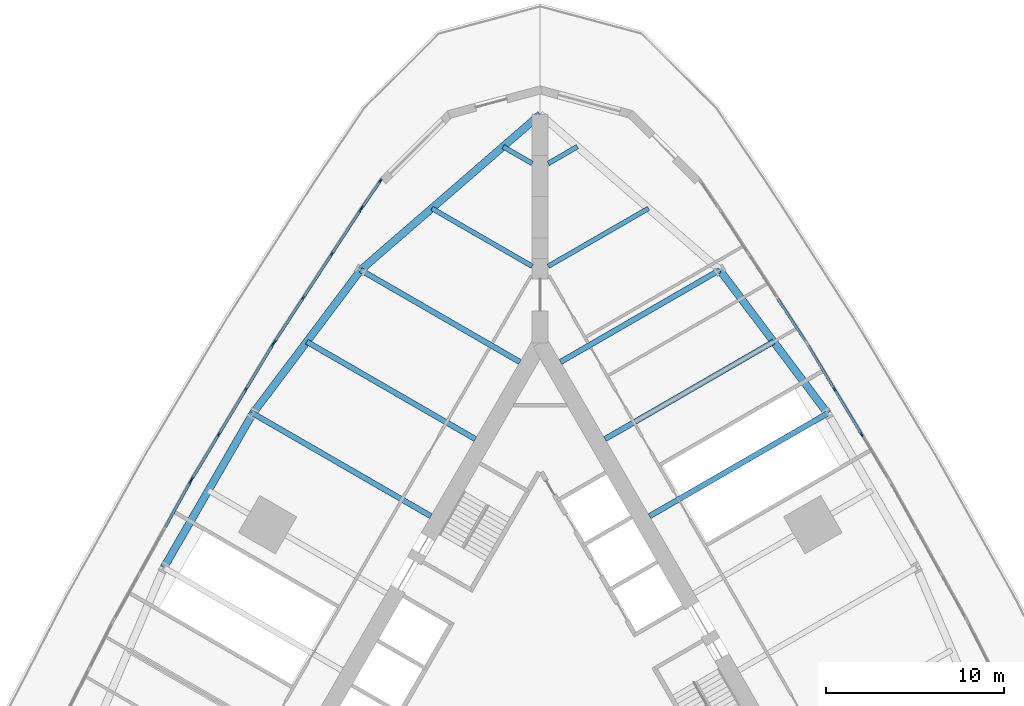
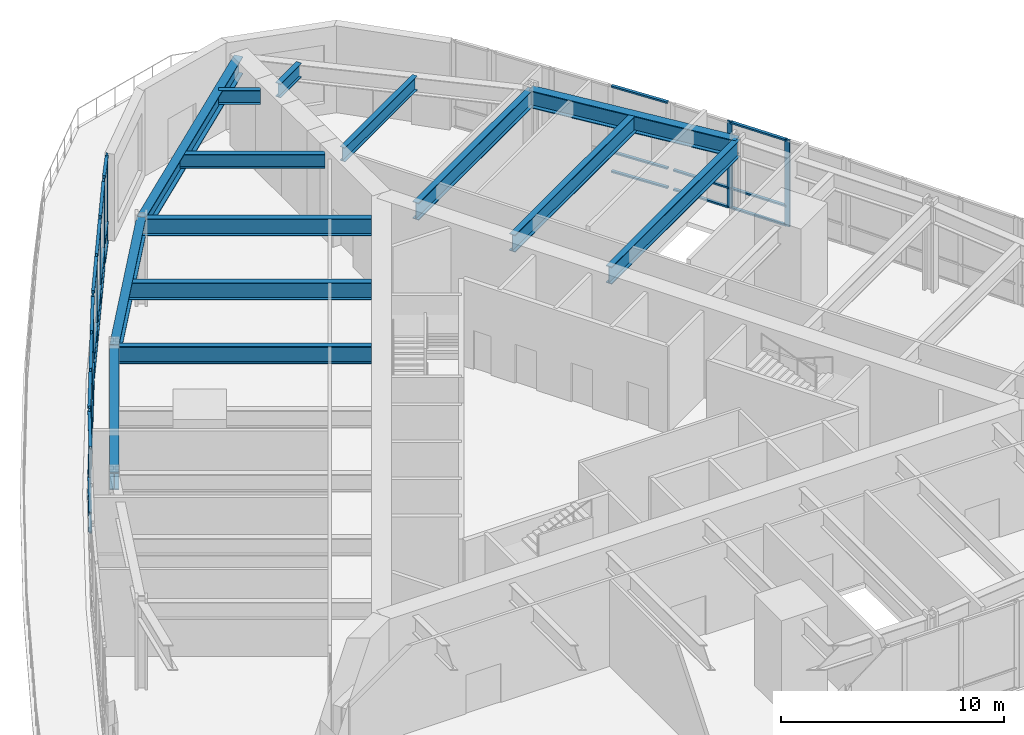
# One storey, part 4 of 13: 45 members, 14 beams, 6 elements without a shape of their own.
"""IFC4 building model written with IfcOpenShell, lengths in metres."""

from ifc_helpers import new_model, si_unit, direction, frame, origin, origin_2d, place, context, subcontext, project, spatial, rectangle, i_section, extrude, material, material_profile, profile_set, type_object, element, aggregate, save


model = new_model("IFC4")

# Units and contexts
model_context = context("Model", 3, precision=1e-05, world=origin(), true_north=direction((0.0, 1.0)))
body_context = subcontext(model_context, "Body", "Model", "MODEL_VIEW")
ifc_project = project(units=[si_unit("LENGTHUNIT", "METRE"), si_unit("AREAUNIT", "SQUARE_METRE"), si_unit("VOLUMEUNIT", "CUBIC_METRE"), si_unit("PLANEANGLEUNIT", "RADIAN"), si_unit("MASSUNIT", "GRAM", prefix="KILO")], contexts=[model_context])

# Site, building, storey
site_placement = place(None, origin())
site = spatial("IfcSite", under=ifc_project, at=site_placement, CompositionType="ELEMENT")
building_placement = place(site_placement, origin())
building = spatial("IfcBuilding", under=site, at=building_placement, Name="Trikona Tower", CompositionType="ELEMENT")
storey_placement = place(building_placement, frame((0.0, 0.0, 17.5)))
storey = spatial("IfcBuildingStorey", under=building, at=storey_placement, Name="L03", CompositionType="ELEMENT", Elevation=17.5)

# Curtain wall, members
ifc_material_1 = material(Name="Aluminium curtain wall system", Category="aluminium")
curtain_wall_type = type_object("IfcCurtainWallType", Name="Curtain wall PD", PredefinedType="NOTDEFINED", material=ifc_material_1)
curtain_wall_1_placement = place(storey_placement, origin())
curtain_wall_1 = element("IfcCurtainWall", 1, at=curtain_wall_1_placement, inside=storey, type_object=curtain_wall_type, Name="Curtain wall PD L03", PredefinedType="NOTDEFINED")
ifc_material_2 = material(Name="Aluminium mullion, pale anodised", Category="aluminium")
ifc_material_profile_1 = material_profile(ifc_material_2, rectangle(XDim=0.090087890625, YDim=0.25, at=origin_2d()), Name="MUL-PD")
ifc_profile_set_1 = profile_set([ifc_material_profile_1], Name="Aluminium mullion, pale anodised")
member_type_1 = type_object("IfcMemberType", Name="Mullion PD 90x250", PredefinedType="MULLION", material=ifc_profile_set_1)
member_1_placement = place(storey_placement, frame((18.050048828125, 13.90625, 0.0), z_axis=(0.0, 0.0, 1.0), x_axis=(-0.856880333147, -0.51551536802, 0.0)))
member_1 = element("IfcMember", 2, at=member_1_placement, type_object=member_type_1, Name="CW-PD mullion 2", PredefinedType="MULLION", context=body_context, shape_type="SweptSolid", body=[
    extrude(rectangle(XDim=0.090087890625, YDim=0.25, at=origin_2d()), origin(), (0.0, 0.0, 1.0), 4.75),
])
member_2_placement = place(storey_placement, frame((16.52392578125, 16.443115234375, 0.0), z_axis=(0.0, 0.0, 1.0), x_axis=(-0.856880333147, -0.51551536802, 0.0)))
member_2 = element("IfcMember", 3, at=member_2_placement, type_object=member_type_1, Name="CW-PD mullion 3", PredefinedType="MULLION", context=body_context, shape_type="SweptSolid", body=[
    extrude(rectangle(XDim=0.090087890625, YDim=0.25, at=origin_2d()), origin(), (0.0, 0.0, 1.0), 4.75),
])

curtain_wall_2_placement = place(storey_placement, origin())
curtain_wall_2 = element("IfcCurtainWall", 4, at=curtain_wall_2_placement, inside=storey, type_object=curtain_wall_type, Name="Curtain wall PD L03", PredefinedType="NOTDEFINED")
member_3_placement = place(storey_placement, frame((-8.976806640625, 28.14697265625, 0.0), z_axis=(0.0, 0.0, 1.0), x_axis=(0.825656992245, -0.564172430341, 0.0)))
member_3 = element("IfcMember", 5, at=member_3_placement, type_object=member_type_1, Name="CW-PD mullion 1", PredefinedType="MULLION", context=body_context, shape_type="SweptSolid", body=[
    extrude(rectangle(XDim=0.090087890625, YDim=0.25, at=origin_2d()), origin(), (0.0, 0.0, 1.0), 4.75),
])
member_4_placement = place(storey_placement, frame((-9.98974609375, 26.664306640625, 0.0), z_axis=(0.0, 0.0, 1.0), x_axis=(0.825656992245, -0.564172430341, 0.0)))
member_4 = element("IfcMember", 6, at=member_4_placement, type_object=member_type_1, Name="CW-PD mullion 2", PredefinedType="MULLION", context=body_context, shape_type="SweptSolid", body=[
    extrude(rectangle(XDim=0.090087890625, YDim=0.25, at=origin_2d()), origin(), (0.0, 0.0, 1.0), 4.75),
])

curtain_wall_3_placement = place(storey_placement, origin())
curtain_wall_3 = element("IfcCurtainWall", 7, at=curtain_wall_3_placement, inside=storey, type_object=curtain_wall_type, Name="Curtain wall PD L03", PredefinedType="NOTDEFINED")
member_5_placement = place(storey_placement, frame((-10.105224609375, 26.491455078125, 0.0), z_axis=(0.0, 0.0, 1.0), x_axis=(0.83780024532, -0.545976875831, 0.0)))
member_5 = element("IfcMember", 8, at=member_5_placement, type_object=member_type_1, Name="CW-PD mullion 1", PredefinedType="MULLION", context=body_context, shape_type="SweptSolid", body=[
    extrude(rectangle(XDim=0.090087890625, YDim=0.25, at=origin_2d()), origin(), (0.0, 0.0, 1.0), 4.75),
])
member_6_placement = place(storey_placement, frame((-11.698974609375, 24.045654296875, 0.0), z_axis=(0.0, 0.0, 1.0), x_axis=(0.83780024532, -0.545976875831, 0.0)))
member_6 = element("IfcMember", 9, at=member_6_placement, type_object=member_type_1, Name="CW-PD mullion 2", PredefinedType="MULLION", context=body_context, shape_type="SweptSolid", body=[
    extrude(rectangle(XDim=0.090087890625, YDim=0.25, at=origin_2d()), origin(), (0.0, 0.0, 1.0), 4.75),
])
member_7_placement = place(storey_placement, frame((-13.317626953125, 21.56201171875, 0.0), z_axis=(0.0, 0.0, 1.0), x_axis=(0.83780024532, -0.545976875831, 0.0)))
member_7 = element("IfcMember", 10, at=member_7_placement, type_object=member_type_1, Name="CW-PD mullion 3", PredefinedType="MULLION", context=body_context, shape_type="SweptSolid", body=[
    extrude(rectangle(XDim=0.090087890625, YDim=0.25, at=origin_2d()), origin(), (0.0, 0.0, 1.0), 4.75),
])
member_8_placement = place(storey_placement, frame((-14.911376953125, 19.1162109375, 0.0), z_axis=(0.0, 0.0, 1.0), x_axis=(0.83780024532, -0.545976875831, 0.0)))
member_8 = element("IfcMember", 11, at=member_8_placement, type_object=member_type_1, Name="CW-PD mullion 4", PredefinedType="MULLION", context=body_context, shape_type="SweptSolid", body=[
    extrude(rectangle(XDim=0.090087890625, YDim=0.25, at=origin_2d()), origin(), (0.0, 0.0, 1.0), 4.75),
])

curtain_wall_4_placement = place(storey_placement, origin())
curtain_wall_4 = element("IfcCurtainWall", 12, at=curtain_wall_4_placement, inside=storey, type_object=curtain_wall_type, Name="Curtain wall PD L03", PredefinedType="NOTDEFINED")
member_9_placement = place(storey_placement, frame((-15.02099609375, 18.94140625, 0.0), z_axis=(0.0, 0.0, 1.0), x_axis=(0.856880333147, -0.51551536802, 0.0)))
member_9 = element("IfcMember", 13, at=member_9_placement, type_object=member_type_1, Name="CW-PD mullion 1", PredefinedType="MULLION", context=body_context, shape_type="SweptSolid", body=[
    extrude(rectangle(XDim=0.090087890625, YDim=0.25, at=origin_2d()), origin(), (0.0, 0.0, 1.0), 4.75),
])
member_10_placement = place(storey_placement, frame((-16.52392578125, 16.443115234375, 0.0), z_axis=(0.0, 0.0, 1.0), x_axis=(0.856880333147, -0.51551536802, 0.0)))
member_10 = element("IfcMember", 14, at=member_10_placement, type_object=member_type_1, Name="CW-PD mullion 2", PredefinedType="MULLION", context=body_context, shape_type="SweptSolid", body=[
    extrude(rectangle(XDim=0.090087890625, YDim=0.25, at=origin_2d()), origin(), (0.0, 0.0, 1.0), 4.75),
])
member_11_placement = place(storey_placement, frame((-18.050048828125, 13.90625, 0.0), z_axis=(0.0, 0.0, 1.0), x_axis=(0.856880333147, -0.51551536802, 0.0)))
member_11 = element("IfcMember", 15, at=member_11_placement, type_object=member_type_1, Name="CW-PD mullion 3", PredefinedType="MULLION", context=body_context, shape_type="SweptSolid", body=[
    extrude(rectangle(XDim=0.090087890625, YDim=0.25, at=origin_2d()), origin(), (0.0, 0.0, 1.0), 4.75),
])
member_12_placement = place(storey_placement, frame((-19.552978515625, 11.408203125, 0.0), z_axis=(0.0, 0.0, 1.0), x_axis=(0.856880333147, -0.51551536802, 0.0)))
member_12 = element("IfcMember", 16, at=member_12_placement, type_object=member_type_1, Name="CW-PD mullion 4", PredefinedType="MULLION", context=body_context, shape_type="SweptSolid", body=[
    extrude(rectangle(XDim=0.090087890625, YDim=0.25, at=origin_2d()), origin(), (0.0, 0.0, 1.0), 4.75),
])

# Curtain wall, member
curtain_wall_5_placement = place(storey_placement, origin())
curtain_wall_5 = element("IfcCurtainWall", 17, at=curtain_wall_5_placement, inside=storey, type_object=curtain_wall_type, Name="Curtain wall PD L03", PredefinedType="NOTDEFINED")
member_13_placement = place(storey_placement, frame((-19.65625, 11.2294921875, 0.0), z_axis=(0.0, 0.0, 1.0), x_axis=(0.874884432916, -0.484331734497, 0.0)))
member_13 = element("IfcMember", 18, at=member_13_placement, type_object=member_type_1, Name="CW-PD mullion 1", PredefinedType="MULLION", context=body_context, shape_type="SweptSolid", body=[
    extrude(rectangle(XDim=0.090087890625, YDim=0.25, at=origin_2d()), origin(), (0.0, 0.0, 1.0), 4.75),
])

# Beams
ifc_material_3 = material(Name="Steel ASTM A992 Grade 50", Category="steel")
ifc_material_profile_2 = material_profile(ifc_material_3, i_section(OverallWidth=0.2666015625, OverallDepth=0.76953125, WebThickness=0.015625, FlangeThickness=0.025390625, at=origin_2d()), Name="W30X132")
ifc_profile_set_2 = profile_set([ifc_material_profile_2], Name="Steel ASTM A992 Grade 50")
beam_type_1 = type_object("IfcBeamType", Name="Steel beam W30x132 (wedge)", PredefinedType="BEAM", material=ifc_profile_set_2)
beam_1_placement = place(storey_placement, frame((0.449951171875, 23.353759765625, 4.365234375), z_axis=(0.866022504693, 0.50000502134, 0.0), x_axis=(-0.50000502134, 0.866022504693, 0.0)))
element("IfcBeam", 19, at=beam_1_placement, inside=storey, type_object=beam_type_1, Name="Floor beam L04 F2 u20", PredefinedType="BEAM", context=body_context, shape_type="SweptSolid", body=[
    extrude(i_section(OverallWidth=0.2666015625, OverallDepth=0.76953125, WebThickness=0.015625, FlangeThickness=0.025390625, at=origin_2d()), origin(), (0.0, 0.0, 1.0), 6.5068359375),
])
for number, where, z_axis, x_axis, name in (
    (20, (0.449951171875, 29.127197265625, 4.365234375), (0.866009237431, 0.5000279999, 0.0), (-0.5000279999, 0.866009237431, 0.0), "Floor beam L04 F2 u25"),
    (21, (-0.449951171875, 29.127197265625, 4.365234375), (-0.866009237431, 0.5000279999, 0.0), (-0.5000279999, -0.866009237431, 0.0), "Floor beam L04 F3 u-25"),
):
    element("IfcBeam", number, at=place(storey_placement, frame(where, z_axis=z_axis, x_axis=x_axis)), inside=storey, type_object=beam_type_1, Name=name, PredefinedType="BEAM", context=body_context, shape_type="SweptSolid", body=[
        extrude(i_section(OverallWidth=0.2666015625, OverallDepth=0.76953125, WebThickness=0.015625, FlangeThickness=0.025390625, at=origin_2d()), origin(), (0.0, 0.0, 1.0), 1.890625),
    ])
beam_2_placement = place(storey_placement, frame((-0.449951171875, 23.353759765625, 4.365234375), z_axis=(-0.866022504693, 0.50000502134, 0.0), x_axis=(-0.50000502134, -0.866022504693, 0.0)))
element("IfcBeam", 22, at=beam_2_placement, inside=storey, type_object=beam_type_1, Name="Floor beam L04 F3 u-20", PredefinedType="BEAM", context=body_context, shape_type="SweptSolid", body=[
    extrude(i_section(OverallWidth=0.2666015625, OverallDepth=0.76953125, WebThickness=0.015625, FlangeThickness=0.025390625, at=origin_2d()), origin(), (0.0, 0.0, 1.0), 6.5068359375),
])
ifc_material_4 = material(Name="Steel ASTM A992 Grade 50", Category="steel")
ifc_material_profile_3 = material_profile(ifc_material_4, i_section(OverallWidth=0.307373046875, OverallDepth=0.9423828125, WebThickness=0.022216796875, FlangeThickness=0.039794921875, at=origin_2d()), Name="W36X232")
ifc_profile_set_3 = profile_set([ifc_material_profile_3], Name="Steel ASTM A992 Grade 50")
beam_type_2 = type_object("IfcBeamType", Name="Steel beam W36x232 (radial low)", PredefinedType="BEAM", material=ifc_profile_set_3)
beam_3_placement = place(storey_placement, frame((6.1396484375, 9.318359375, 4.27880859375), z_axis=(0.866029923217, 0.499992172032, 0.0), x_axis=(-0.499992172032, 0.866029923217, 0.0)))
element("IfcBeam", 23, at=beam_3_placement, inside=storey, type_object=beam_type_2, Name="Floor beam L04 F2 u5", PredefinedType="BEAM", context=body_context, shape_type="SweptSolid", body=[
    extrude(i_section(OverallWidth=0.307373046875, OverallDepth=0.9423828125, WebThickness=0.022216796875, FlangeThickness=0.039794921875, at=origin_2d()), origin(), (0.0, 0.0, 1.0), 11.544189453125),
])
beam_4_placement = place(storey_placement, frame((3.6396484375, 13.6484375, 4.27880859375), z_axis=(0.866025348605, 0.500000095573, 0.0), x_axis=(-0.500000095573, 0.866025348605, 0.0)))
element("IfcBeam", 24, at=beam_4_placement, inside=storey, type_object=beam_type_2, Name="Floor beam L04 F2 u10", PredefinedType="BEAM", context=body_context, shape_type="SweptSolid", body=[
    extrude(i_section(OverallWidth=0.307373046875, OverallDepth=0.9423828125, WebThickness=0.022216796875, FlangeThickness=0.039794921875, at=origin_2d()), origin(), (0.0, 0.0, 1.0), 10.935546875),
])
for number, where, z_axis, x_axis, name in (
    (25, (1.1396484375, 17.978515625, 4.27880859375), (0.866030471684, 0.499991222037, 0.0), (-0.499991222037, 0.866030471684, 0.0), "Floor beam L04 F2 u15"),
    (26, (-1.1396484375, 17.978515625, 4.27880859375), (-0.866030471684, 0.499991222037, 0.0), (-0.499991222037, -0.866030471684, 0.0), "Floor beam L04 F3 u-15"),
):
    element("IfcBeam", number, at=place(storey_placement, frame(where, z_axis=z_axis, x_axis=x_axis)), inside=storey, type_object=beam_type_2, Name=name, PredefinedType="BEAM", context=body_context, shape_type="SweptSolid", body=[
        extrude(i_section(OverallWidth=0.307373046875, OverallDepth=0.9423828125, WebThickness=0.022216796875, FlangeThickness=0.039794921875, at=origin_2d()), origin(), (0.0, 0.0, 1.0), 10.326904296875),
    ])
beam_5_placement = place(storey_placement, frame((-3.6396484375, 13.6484375, 4.27880859375), z_axis=(-0.866025348605, 0.500000095573, 0.0), x_axis=(-0.500000095573, -0.866025348605, 0.0)))
element("IfcBeam", 27, at=beam_5_placement, inside=storey, type_object=beam_type_2, Name="Floor beam L04 F3 u-10", PredefinedType="BEAM", context=body_context, shape_type="SweptSolid", body=[
    extrude(i_section(OverallWidth=0.307373046875, OverallDepth=0.9423828125, WebThickness=0.022216796875, FlangeThickness=0.039794921875, at=origin_2d()), origin(), (0.0, 0.0, 1.0), 10.935546875),
])
beam_6_placement = place(storey_placement, frame((-6.1396484375, 9.318359375, 4.27880859375), z_axis=(-0.866029923217, 0.499992172032, 0.0), x_axis=(-0.499992172032, -0.866029923217, 0.0)))
element("IfcBeam", 28, at=beam_6_placement, inside=storey, type_object=beam_type_2, Name="Floor beam L04 F3 u-5", PredefinedType="BEAM", context=body_context, shape_type="SweptSolid", body=[
    extrude(i_section(OverallWidth=0.307373046875, OverallDepth=0.9423828125, WebThickness=0.022216796875, FlangeThickness=0.039794921875, at=origin_2d()), origin(), (0.0, 0.0, 1.0), 11.544189453125),
])
ifc_material_5 = material(Name="Steel ASTM A992 Grade 50", Category="steel")
ifc_material_profile_4 = material_profile(ifc_material_5, i_section(OverallWidth=0.424072265625, OverallDepth=0.947509765625, WebThickness=0.02392578125, FlangeThickness=0.042724609375, at=origin_2d()), Name="W36X302")
ifc_profile_set_4 = profile_set([ifc_material_profile_4], Name="Steel ASTM A992 Grade 50")
beam_type_3 = type_object("IfcBeamType", Name="Steel beam W36x302 (pod tower spandrel)", PredefinedType="BEAM", material=ifc_profile_set_4)
beam_7_placement = place(storey_placement, frame((16.13720703125, 15.09033203125, 4.2763671875), z_axis=(-0.600988344191, 0.799257787042, 0.0), x_axis=(-0.799257787042, -0.600988344191, 0.0)))
element("IfcBeam", 29, at=beam_7_placement, inside=storey, type_object=beam_type_3, Name="Spandrel beam L04 F2-4", PredefinedType="BEAM", context=body_context, shape_type="SweptSolid", body=[
    extrude(i_section(OverallWidth=0.424072265625, OverallDepth=0.947509765625, WebThickness=0.02392578125, FlangeThickness=0.042724609375, at=origin_2d()), origin(), (0.0, 0.0, 1.0), 10.07373046875),
])
beam_8_placement = place(storey_placement, frame((0.0, 31.881591796875, 4.2763671875), z_axis=(-0.755646822726, -0.654979296851, 0.0), x_axis=(0.654979296851, -0.755646822726, 0.0)))
element("IfcBeam", 30, at=beam_8_placement, inside=storey, type_object=beam_type_3, Name="Spandrel beam L04 F3-1", PredefinedType="BEAM", context=body_context, shape_type="SweptSolid", body=[
    extrude(i_section(OverallWidth=0.424072265625, OverallDepth=0.947509765625, WebThickness=0.02392578125, FlangeThickness=0.042724609375, at=origin_2d()), origin(), (0.0, 0.0, 1.0), 13.343505859375),
])
beam_9_placement = place(storey_placement, frame((-10.0830078125, 23.141845703125, 4.2763671875), z_axis=(-0.600988344191, -0.799257787042, 0.0), x_axis=(0.799257787042, -0.600988344191, 0.0)))
element("IfcBeam", 31, at=beam_9_placement, inside=storey, type_object=beam_type_3, Name="Spandrel beam L04 F3-2", PredefinedType="BEAM", context=body_context, shape_type="SweptSolid", body=[
    extrude(i_section(OverallWidth=0.424072265625, OverallDepth=0.947509765625, WebThickness=0.02392578125, FlangeThickness=0.042724609375, at=origin_2d()), origin(), (0.0, 0.0, 1.0), 10.07373046875),
])
beam_10_placement = place(storey_placement, frame((-16.13720703125, 15.09033203125, 4.2763671875), z_axis=(-0.500004234368, -0.866022959057, 0.0), x_axis=(0.866022959057, -0.500004234368, 0.0)))
element("IfcBeam", 32, at=beam_10_placement, inside=storey, type_object=beam_type_3, Name="Spandrel beam L04 F3-3", PredefinedType="BEAM", context=body_context, shape_type="SweptSolid", body=[
    extrude(i_section(OverallWidth=0.424072265625, OverallDepth=0.947509765625, WebThickness=0.02392578125, FlangeThickness=0.042724609375, at=origin_2d()), origin(), (0.0, 0.0, 1.0), 10.0),
])

# Member
ifc_material_6 = material(Name="Aluminium transom, pale anodised", Category="aluminium")
ifc_material_profile_5 = material_profile(ifc_material_6, rectangle(XDim=0.14990234375, YDim=0.090087890625, at=origin_2d()), Name="TRN-PD")
ifc_profile_set_5 = profile_set([ifc_material_profile_5], Name="Aluminium transom, pale anodised")
member_type_2 = type_object("IfcMemberType", Name="Transom PD 90x150", PredefinedType="USERDEFINED", material=ifc_profile_set_5)
member_14_placement = place(storey_placement, frame((18.02685546875, 13.94482421875, 0.044921875), z_axis=(-0.515496008832, 0.856891979703, 0.0), x_axis=(-0.856891979703, -0.515496008832, 0.0)))
member_14 = element("IfcMember", 33, at=member_14_placement, type_object=member_type_2, Name="CW-PD transom 2.1", ObjectType="TRANSOM", PredefinedType="USERDEFINED", context=body_context, shape_type="SweptSolid", body=[
    extrude(rectangle(XDim=0.14990234375, YDim=0.090087890625, at=origin_2d()), origin(), (0.0, 0.0, 1.0), 2.87060546875),
])

member_15_placement = place(storey_placement, frame((18.02685546875, 13.94482421875, 1.10009765625), z_axis=(-0.515496008832, 0.856891979703, 0.0), x_axis=(-0.856891979703, -0.515496008832, 0.0)))
member_15 = element("IfcMember", 34, at=member_15_placement, type_object=member_type_2, Name="CW-PD transom 2.2", ObjectType="TRANSOM", PredefinedType="USERDEFINED", context=body_context, shape_type="SweptSolid", body=[
    extrude(rectangle(XDim=0.14990234375, YDim=0.090087890625, at=origin_2d()), origin(), (0.0, 0.0, 1.0), 2.87060546875),
])

member_16_placement = place(storey_placement, frame((18.02685546875, 13.94482421875, 4.705078125), z_axis=(-0.515496008832, 0.856891979703, 0.0), x_axis=(-0.856891979703, -0.515496008832, 0.0)))
member_16 = element("IfcMember", 35, at=member_16_placement, type_object=member_type_2, Name="CW-PD transom 2.3", ObjectType="TRANSOM", PredefinedType="USERDEFINED", context=body_context, shape_type="SweptSolid", body=[
    extrude(rectangle(XDim=0.14990234375, YDim=0.090087890625, at=origin_2d()), origin(), (0.0, 0.0, 1.0), 2.87060546875),
])

member_17_placement = place(storey_placement, frame((16.500732421875, 16.481689453125, 0.044921875), z_axis=(-0.515499239324, 0.856890036268, 0.0), x_axis=(-0.856890036268, -0.515499239324, 0.0)))
member_17 = element("IfcMember", 36, at=member_17_placement, type_object=member_type_2, Name="CW-PD transom 3.1", ObjectType="TRANSOM", PredefinedType="USERDEFINED", context=body_context, shape_type="SweptSolid", body=[
    extrude(rectangle(XDim=0.14990234375, YDim=0.090087890625, at=origin_2d()), origin(), (0.0, 0.0, 1.0), 2.825439453125),
])

member_18_placement = place(storey_placement, frame((16.500732421875, 16.481689453125, 1.10009765625), z_axis=(-0.515499239324, 0.856890036268, 0.0), x_axis=(-0.856890036268, -0.515499239324, 0.0)))
member_18 = element("IfcMember", 37, at=member_18_placement, type_object=member_type_2, Name="CW-PD transom 3.2", ObjectType="TRANSOM", PredefinedType="USERDEFINED", context=body_context, shape_type="SweptSolid", body=[
    extrude(rectangle(XDim=0.14990234375, YDim=0.090087890625, at=origin_2d()), origin(), (0.0, 0.0, 1.0), 2.825439453125),
])

aggregate(curtain_wall_1, [member_1, member_2, member_14, member_15, member_16, member_17, member_18])

# Curtain wall, members
curtain_wall_6_placement = place(storey_placement, origin())
curtain_wall_6 = element("IfcCurtainWall", 38, at=curtain_wall_6_placement, inside=storey, type_object=curtain_wall_type, Name="Curtain wall PD L03", PredefinedType="NOTDEFINED")
member_19_placement = place(storey_placement, frame((14.886962890625, 19.154052734375, 0.044921875), z_axis=(-0.546028235603, 0.837766772989, 0.0), x_axis=(-0.837766772989, -0.546028235603, 0.0)))
member_19 = element("IfcMember", 39, at=member_19_placement, type_object=member_type_2, Name="CW-PD transom 1.1", ObjectType="TRANSOM", PredefinedType="USERDEFINED", context=body_context, shape_type="SweptSolid", body=[
    extrude(rectangle(XDim=0.14990234375, YDim=0.090087890625, at=origin_2d()), origin(), (0.0, 0.0, 1.0), 2.829345703125),
])
member_20_placement = place(storey_placement, frame((14.886962890625, 19.154052734375, 1.10009765625), z_axis=(-0.546028235603, 0.837766772989, 0.0), x_axis=(-0.837766772989, -0.546028235603, 0.0)))
member_20 = element("IfcMember", 40, at=member_20_placement, type_object=member_type_2, Name="CW-PD transom 1.2", ObjectType="TRANSOM", PredefinedType="USERDEFINED", context=body_context, shape_type="SweptSolid", body=[
    extrude(rectangle(XDim=0.14990234375, YDim=0.090087890625, at=origin_2d()), origin(), (0.0, 0.0, 1.0), 2.829345703125),
])
member_21_placement = place(storey_placement, frame((14.886962890625, 19.154052734375, 4.705078125), z_axis=(-0.546028235603, 0.837766772989, 0.0), x_axis=(-0.837766772989, -0.546028235603, 0.0)))
member_21 = element("IfcMember", 41, at=member_21_placement, type_object=member_type_2, Name="CW-PD transom 1.3", ObjectType="TRANSOM", PredefinedType="USERDEFINED", context=body_context, shape_type="SweptSolid", body=[
    extrude(rectangle(XDim=0.14990234375, YDim=0.090087890625, at=origin_2d()), origin(), (0.0, 0.0, 1.0), 2.829345703125),
])
aggregate(curtain_wall_6, [member_19, member_20, member_21])

# Member
member_22_placement = place(storey_placement, frame((-9.002197265625, 28.10986328125, 0.044921875), z_axis=(-0.564078293545, -0.825721308161, 0.0), x_axis=(0.825721308161, -0.564078293545, 0.0)))
member_22 = element("IfcMember", 42, at=member_22_placement, type_object=member_type_2, Name="CW-PD transom 1.1", ObjectType="TRANSOM", PredefinedType="USERDEFINED", context=body_context, shape_type="SweptSolid", body=[
    extrude(rectangle(XDim=0.14990234375, YDim=0.090087890625, at=origin_2d()), origin(), (0.0, 0.0, 1.0), 1.705810546875),
])

member_23_placement = place(storey_placement, frame((-9.002197265625, 28.10986328125, 1.10009765625), z_axis=(-0.564078293545, -0.825721308161, 0.0), x_axis=(0.825721308161, -0.564078293545, 0.0)))
member_23 = element("IfcMember", 43, at=member_23_placement, type_object=member_type_2, Name="CW-PD transom 1.2", ObjectType="TRANSOM", PredefinedType="USERDEFINED", context=body_context, shape_type="SweptSolid", body=[
    extrude(rectangle(XDim=0.14990234375, YDim=0.090087890625, at=origin_2d()), origin(), (0.0, 0.0, 1.0), 1.705810546875),
])

member_24_placement = place(storey_placement, frame((-9.002197265625, 28.10986328125, 4.705078125), z_axis=(-0.564078293545, -0.825721308161, 0.0), x_axis=(0.825721308161, -0.564078293545, 0.0)))
member_24 = element("IfcMember", 44, at=member_24_placement, type_object=member_type_2, Name="CW-PD transom 1.3", ObjectType="TRANSOM", PredefinedType="USERDEFINED", context=body_context, shape_type="SweptSolid", body=[
    extrude(rectangle(XDim=0.14990234375, YDim=0.090087890625, at=origin_2d()), origin(), (0.0, 0.0, 1.0), 1.705810546875),
])

aggregate(curtain_wall_2, [member_3, member_4, member_22, member_23, member_24])

member_25_placement = place(storey_placement, frame((-10.129638671875, 26.453857421875, 0.044921875), z_axis=(-0.545988766057, -0.837792496588, 0.0), x_axis=(0.837792496588, -0.545988766057, 0.0)))
member_25 = element("IfcMember", 45, at=member_25_placement, type_object=member_type_2, Name="CW-PD transom 1.1", ObjectType="TRANSOM", PredefinedType="USERDEFINED", context=body_context, shape_type="SweptSolid", body=[
    extrude(rectangle(XDim=0.14990234375, YDim=0.090087890625, at=origin_2d()), origin(), (0.0, 0.0, 1.0), 2.82958984375),
])

member_26_placement = place(storey_placement, frame((-10.129638671875, 26.453857421875, 1.10009765625), z_axis=(-0.545988766057, -0.837792496588, 0.0), x_axis=(0.837792496588, -0.545988766057, 0.0)))
member_26 = element("IfcMember", 46, at=member_26_placement, type_object=member_type_2, Name="CW-PD transom 1.2", ObjectType="TRANSOM", PredefinedType="USERDEFINED", context=body_context, shape_type="SweptSolid", body=[
    extrude(rectangle(XDim=0.14990234375, YDim=0.090087890625, at=origin_2d()), origin(), (0.0, 0.0, 1.0), 2.82958984375),
])

member_27_placement = place(storey_placement, frame((-10.129638671875, 26.453857421875, 4.705078125), z_axis=(-0.545988766057, -0.837792496588, 0.0), x_axis=(0.837792496588, -0.545988766057, 0.0)))
member_27 = element("IfcMember", 47, at=member_27_placement, type_object=member_type_2, Name="CW-PD transom 1.3", ObjectType="TRANSOM", PredefinedType="USERDEFINED", context=body_context, shape_type="SweptSolid", body=[
    extrude(rectangle(XDim=0.14990234375, YDim=0.090087890625, at=origin_2d()), origin(), (0.0, 0.0, 1.0), 2.82958984375),
])

member_28_placement = place(storey_placement, frame((-11.7236328125, 24.008056640625, 0.044921875), z_axis=(-0.545967203387, -0.83780654857, 0.0), x_axis=(0.83780654857, -0.545967203387, 0.0)))
member_28 = element("IfcMember", 48, at=member_28_placement, type_object=member_type_2, Name="CW-PD transom 2.1", ObjectType="TRANSOM", PredefinedType="USERDEFINED", context=body_context, shape_type="SweptSolid", body=[
    extrude(rectangle(XDim=0.14990234375, YDim=0.090087890625, at=origin_2d()), origin(), (0.0, 0.0, 1.0), 2.87451171875),
])

member_29_placement = place(storey_placement, frame((-11.7236328125, 24.008056640625, 1.10009765625), z_axis=(-0.545967203387, -0.83780654857, 0.0), x_axis=(0.83780654857, -0.545967203387, 0.0)))
member_29 = element("IfcMember", 49, at=member_29_placement, type_object=member_type_2, Name="CW-PD transom 2.2", ObjectType="TRANSOM", PredefinedType="USERDEFINED", context=body_context, shape_type="SweptSolid", body=[
    extrude(rectangle(XDim=0.14990234375, YDim=0.090087890625, at=origin_2d()), origin(), (0.0, 0.0, 1.0), 2.87451171875),
])

member_30_placement = place(storey_placement, frame((-11.7236328125, 24.008056640625, 4.705078125), z_axis=(-0.545967203387, -0.83780654857, 0.0), x_axis=(0.83780654857, -0.545967203387, 0.0)))
member_30 = element("IfcMember", 50, at=member_30_placement, type_object=member_type_2, Name="CW-PD transom 2.3", ObjectType="TRANSOM", PredefinedType="USERDEFINED", context=body_context, shape_type="SweptSolid", body=[
    extrude(rectangle(XDim=0.14990234375, YDim=0.090087890625, at=origin_2d()), origin(), (0.0, 0.0, 1.0), 2.87451171875),
])

member_31_placement = place(storey_placement, frame((-13.342041015625, 21.5244140625, 0.044921875), z_axis=(-0.546028235603, -0.837766772989, 0.0), x_axis=(0.837766772989, -0.546028235603, 0.0)))
member_31 = element("IfcMember", 51, at=member_31_placement, type_object=member_type_2, Name="CW-PD transom 3.1", ObjectType="TRANSOM", PredefinedType="USERDEFINED", context=body_context, shape_type="SweptSolid", body=[
    extrude(rectangle(XDim=0.14990234375, YDim=0.090087890625, at=origin_2d()), origin(), (0.0, 0.0, 1.0), 2.829345703125),
])

member_32_placement = place(storey_placement, frame((-13.342041015625, 21.5244140625, 1.10009765625), z_axis=(-0.546028235603, -0.837766772989, 0.0), x_axis=(0.837766772989, -0.546028235603, 0.0)))
member_32 = element("IfcMember", 52, at=member_32_placement, type_object=member_type_2, Name="CW-PD transom 3.2", ObjectType="TRANSOM", PredefinedType="USERDEFINED", context=body_context, shape_type="SweptSolid", body=[
    extrude(rectangle(XDim=0.14990234375, YDim=0.090087890625, at=origin_2d()), origin(), (0.0, 0.0, 1.0), 2.829345703125),
])

member_33_placement = place(storey_placement, frame((-13.342041015625, 21.5244140625, 4.705078125), z_axis=(-0.546028235603, -0.837766772989, 0.0), x_axis=(0.837766772989, -0.546028235603, 0.0)))
member_33 = element("IfcMember", 53, at=member_33_placement, type_object=member_type_2, Name="CW-PD transom 3.3", ObjectType="TRANSOM", PredefinedType="USERDEFINED", context=body_context, shape_type="SweptSolid", body=[
    extrude(rectangle(XDim=0.14990234375, YDim=0.090087890625, at=origin_2d()), origin(), (0.0, 0.0, 1.0), 2.829345703125),
])

aggregate(curtain_wall_3, [member_5, member_6, member_7, member_8, member_25, member_26, member_27, member_28, member_29, member_30, member_31, member_32, member_33])

member_34_placement = place(storey_placement, frame((-15.044189453125, 18.90283203125, 0.044921875), z_axis=(-0.515499239324, -0.856890036268, 0.0), x_axis=(0.856890036268, -0.515499239324, 0.0)))
member_34 = element("IfcMember", 54, at=member_34_placement, type_object=member_type_2, Name="CW-PD transom 1.1", ObjectType="TRANSOM", PredefinedType="USERDEFINED", context=body_context, shape_type="SweptSolid", body=[
    extrude(rectangle(XDim=0.14990234375, YDim=0.090087890625, at=origin_2d()), origin(), (0.0, 0.0, 1.0), 2.825439453125),
])

member_35_placement = place(storey_placement, frame((-15.044189453125, 18.90283203125, 1.10009765625), z_axis=(-0.515499239324, -0.856890036268, 0.0), x_axis=(0.856890036268, -0.515499239324, 0.0)))
member_35 = element("IfcMember", 55, at=member_35_placement, type_object=member_type_2, Name="CW-PD transom 1.2", ObjectType="TRANSOM", PredefinedType="USERDEFINED", context=body_context, shape_type="SweptSolid", body=[
    extrude(rectangle(XDim=0.14990234375, YDim=0.090087890625, at=origin_2d()), origin(), (0.0, 0.0, 1.0), 2.825439453125),
])

member_36_placement = place(storey_placement, frame((-15.044189453125, 18.90283203125, 4.705078125), z_axis=(-0.515499239324, -0.856890036268, 0.0), x_axis=(0.856890036268, -0.515499239324, 0.0)))
member_36 = element("IfcMember", 56, at=member_36_placement, type_object=member_type_2, Name="CW-PD transom 1.3", ObjectType="TRANSOM", PredefinedType="USERDEFINED", context=body_context, shape_type="SweptSolid", body=[
    extrude(rectangle(XDim=0.14990234375, YDim=0.090087890625, at=origin_2d()), origin(), (0.0, 0.0, 1.0), 2.825439453125),
])

member_37_placement = place(storey_placement, frame((-16.547119140625, 16.404541015625, 0.044921875), z_axis=(-0.515496008832, -0.856891979703, 0.0), x_axis=(0.856891979703, -0.515496008832, 0.0)))
member_37 = element("IfcMember", 57, at=member_37_placement, type_object=member_type_2, Name="CW-PD transom 2.1", ObjectType="TRANSOM", PredefinedType="USERDEFINED", context=body_context, shape_type="SweptSolid", body=[
    extrude(rectangle(XDim=0.14990234375, YDim=0.090087890625, at=origin_2d()), origin(), (0.0, 0.0, 1.0), 2.87060546875),
])

member_38_placement = place(storey_placement, frame((-16.547119140625, 16.404541015625, 1.10009765625), z_axis=(-0.515496008832, -0.856891979703, 0.0), x_axis=(0.856891979703, -0.515496008832, 0.0)))
member_38 = element("IfcMember", 58, at=member_38_placement, type_object=member_type_2, Name="CW-PD transom 2.2", ObjectType="TRANSOM", PredefinedType="USERDEFINED", context=body_context, shape_type="SweptSolid", body=[
    extrude(rectangle(XDim=0.14990234375, YDim=0.090087890625, at=origin_2d()), origin(), (0.0, 0.0, 1.0), 2.87060546875),
])

member_39_placement = place(storey_placement, frame((-16.547119140625, 16.404541015625, 4.705078125), z_axis=(-0.515496008832, -0.856891979703, 0.0), x_axis=(0.856891979703, -0.515496008832, 0.0)))
member_39 = element("IfcMember", 59, at=member_39_placement, type_object=member_type_2, Name="CW-PD transom 2.3", ObjectType="TRANSOM", PredefinedType="USERDEFINED", context=body_context, shape_type="SweptSolid", body=[
    extrude(rectangle(XDim=0.14990234375, YDim=0.090087890625, at=origin_2d()), origin(), (0.0, 0.0, 1.0), 2.87060546875),
])

member_40_placement = place(storey_placement, frame((-18.0732421875, 13.867919921875, 0.044921875), z_axis=(-0.515499239324, -0.856890036268, 0.0), x_axis=(0.856890036268, -0.515499239324, 0.0)))
member_40 = element("IfcMember", 60, at=member_40_placement, type_object=member_type_2, Name="CW-PD transom 3.1", ObjectType="TRANSOM", PredefinedType="USERDEFINED", context=body_context, shape_type="SweptSolid", body=[
    extrude(rectangle(XDim=0.14990234375, YDim=0.090087890625, at=origin_2d()), origin(), (0.0, 0.0, 1.0), 2.825439453125),
])

member_41_placement = place(storey_placement, frame((-18.0732421875, 13.867919921875, 1.10009765625), z_axis=(-0.515499239324, -0.856890036268, 0.0), x_axis=(0.856890036268, -0.515499239324, 0.0)))
member_41 = element("IfcMember", 61, at=member_41_placement, type_object=member_type_2, Name="CW-PD transom 3.2", ObjectType="TRANSOM", PredefinedType="USERDEFINED", context=body_context, shape_type="SweptSolid", body=[
    extrude(rectangle(XDim=0.14990234375, YDim=0.090087890625, at=origin_2d()), origin(), (0.0, 0.0, 1.0), 2.825439453125),
])

member_42_placement = place(storey_placement, frame((-18.0732421875, 13.867919921875, 4.705078125), z_axis=(-0.515499239324, -0.856890036268, 0.0), x_axis=(0.856890036268, -0.515499239324, 0.0)))
member_42 = element("IfcMember", 62, at=member_42_placement, type_object=member_type_2, Name="CW-PD transom 3.3", ObjectType="TRANSOM", PredefinedType="USERDEFINED", context=body_context, shape_type="SweptSolid", body=[
    extrude(rectangle(XDim=0.14990234375, YDim=0.090087890625, at=origin_2d()), origin(), (0.0, 0.0, 1.0), 2.825439453125),
])

aggregate(curtain_wall_4, [member_9, member_10, member_11, member_12, member_34, member_35, member_36, member_37, member_38, member_39, member_40, member_41, member_42])

member_43_placement = place(storey_placement, frame((-19.677978515625, 11.18994140625, 0.044921875), z_axis=(-0.484321788421, -0.874889938941, 0.0), x_axis=(0.874889938941, -0.484321788421, 0.0)))
member_43 = element("IfcMember", 63, at=member_43_placement, type_object=member_type_2, Name="CW-PD transom 1.1", ObjectType="TRANSOM", PredefinedType="USERDEFINED", context=body_context, shape_type="SweptSolid", body=[
    extrude(rectangle(XDim=0.14990234375, YDim=0.090087890625, at=origin_2d()), origin(), (0.0, 0.0, 1.0), 2.825439453125),
])

member_44_placement = place(storey_placement, frame((-19.677978515625, 11.18994140625, 1.10009765625), z_axis=(-0.484321788421, -0.874889938941, 0.0), x_axis=(0.874889938941, -0.484321788421, 0.0)))
member_44 = element("IfcMember", 64, at=member_44_placement, type_object=member_type_2, Name="CW-PD transom 1.2", ObjectType="TRANSOM", PredefinedType="USERDEFINED", context=body_context, shape_type="SweptSolid", body=[
    extrude(rectangle(XDim=0.14990234375, YDim=0.090087890625, at=origin_2d()), origin(), (0.0, 0.0, 1.0), 2.825439453125),
])

member_45_placement = place(storey_placement, frame((-19.677978515625, 11.18994140625, 4.705078125), z_axis=(-0.484321788421, -0.874889938941, 0.0), x_axis=(0.874889938941, -0.484321788421, 0.0)))
member_45 = element("IfcMember", 65, at=member_45_placement, type_object=member_type_2, Name="CW-PD transom 1.3", ObjectType="TRANSOM", PredefinedType="USERDEFINED", context=body_context, shape_type="SweptSolid", body=[
    extrude(rectangle(XDim=0.14990234375, YDim=0.090087890625, at=origin_2d()), origin(), (0.0, 0.0, 1.0), 2.825439453125),
])

aggregate(curtain_wall_5, [member_13, member_43, member_44, member_45])

save(model, "model.ifc")
